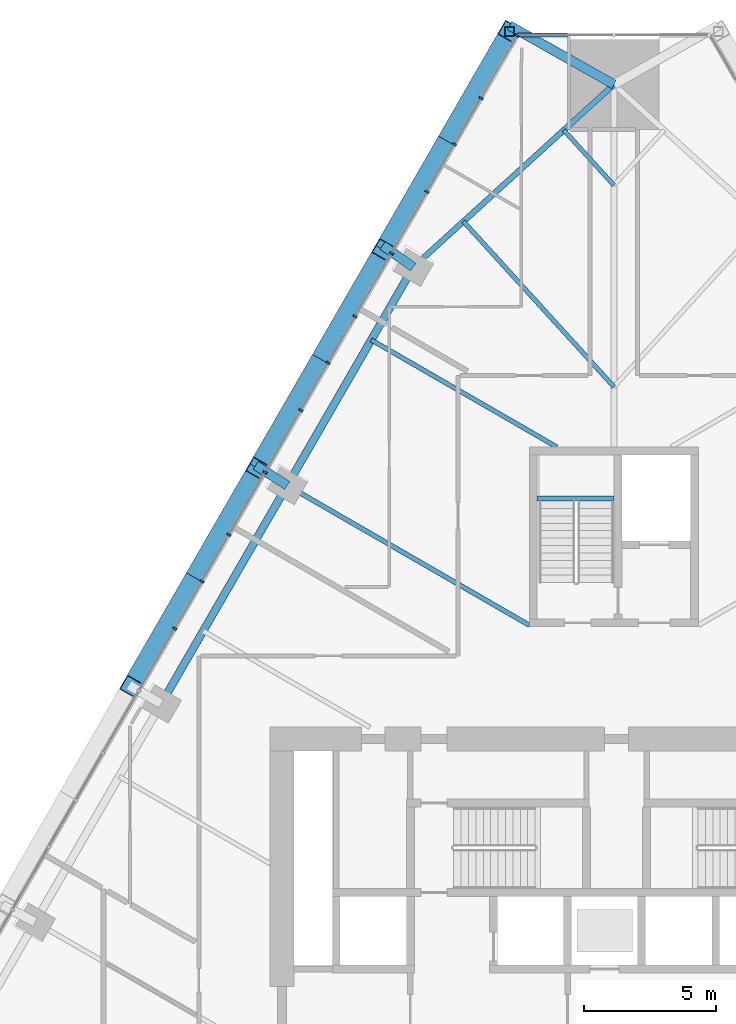
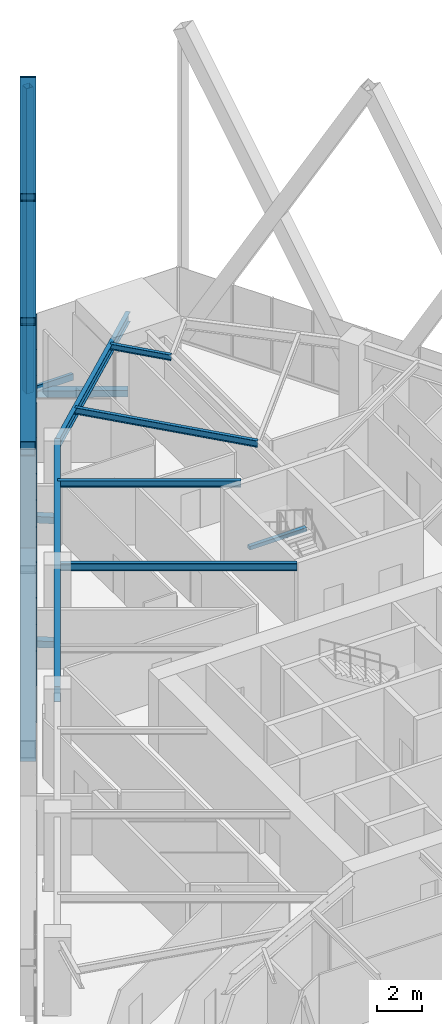
# One storey, part 10 of 23: 23 members, 7 beams, 2 elements without a shape of their own.
"""IFC4 building model written with IfcOpenShell, lengths in metres."""

from ifc_helpers import new_model, si_unit, direction, frame, origin, origin_2d, place, context, subcontext, project, spatial, rectangle, hollow_rectangle, i_section, extrude, material, layer, layer_set, material_profile, profile_set, type_object, element, aggregate, save


model = new_model("IFC4")

# Units and contexts
model_context = context("Model", 3, precision=1e-05, world=origin(), true_north=direction((0.0, 1.0)))
body_context = subcontext(model_context, "Body", "Model", "MODEL_VIEW")
ifc_project = project(units=[si_unit("LENGTHUNIT", "METRE"), si_unit("AREAUNIT", "SQUARE_METRE"), si_unit("VOLUMEUNIT", "CUBIC_METRE"), si_unit("PLANEANGLEUNIT", "RADIAN"), si_unit("MASSUNIT", "GRAM", prefix="KILO")], contexts=[model_context])

# Site, building, storey
site_placement = place(None, origin())
site = spatial("IfcSite", under=ifc_project, at=site_placement, CompositionType="ELEMENT")
building_placement = place(site_placement, origin())
building = spatial("IfcBuilding", under=site, at=building_placement, Name="Firuza Gate Tower and Library", CompositionType="ELEMENT")
storey_placement = place(building_placement, frame((0.0, 0.0, 56.800048828125)))
storey = spatial("IfcBuildingStorey", under=building, at=storey_placement, Name="L12", CompositionType="ELEMENT", Elevation=56.800048828125)

# Members
ifc_material_1 = material(Name="Steel S355", Category="steel")
ifc_material_profile_1 = material_profile(ifc_material_1, hollow_rectangle(XDim=0.699951171875, YDim=0.699951171875, WallThickness=0.030029296875, at=origin_2d()))
ifc_profile_set_1 = profile_set([ifc_material_profile_1], Name="Steel S355")
member_type_1 = type_object("IfcMemberType", Name="BU700x700x30 Lattice brace", PredefinedType="BRACE", material=ifc_profile_set_1)
for number, where, z_axis, x_axis, name in (
    (1, (71.0537109375, 110.306884765625, 0.0), (-0.246794079392, -0.427450328219, 0.869700465265), (0.866020563445, -0.50000838362, 0.0), "Lattice brace W 2.1R"),
    (2, (66.286376953125, 102.0498046875, 0.0), (0.246794079392, 0.427450328219, 0.869700465265), (-0.866020563445, 0.50000838362, 0.0), "Lattice brace W 2.1L"),
    (3, (66.286376953125, 102.0498046875, 0.0), (-0.246794079392, -0.427450328219, 0.869700465265), (0.866020563445, -0.50000838362, 0.0), "Lattice brace W 2.2R"),
    (4, (61.51904296875, 93.792724609375, 0.0), (0.246794079392, 0.427450328219, 0.869700465265), (-0.866020563445, 0.50000838362, 0.0), "Lattice brace W 2.2L"),
):
    element("IfcMember", number, at=place(storey_placement, frame(where, z_axis=z_axis, x_axis=x_axis)), inside=storey, type_object=member_type_1, Name=name, PredefinedType="BRACE", context=body_context, shape_type="SweptSolid", body=[
        extrude(hollow_rectangle(XDim=0.699951171875, YDim=0.699951171875, WallThickness=0.030029296875, at=origin_2d()), origin(), (0.0, 0.0, 1.0), 19.317138671875),
    ])
for number, where, z_axis, x_axis, name in (
    (5, (61.51904296875, 93.792724609375, 0.0), (-0.246782210514, -0.427451661466, 0.86970317792), (0.866031651222, -0.499989178965, 0.0), "Lattice brace W 2.3R"),
    (6, (56.751953125, 85.53564453125, 0.0), (0.246782210514, 0.427451661466, 0.86970317792), (-0.866031651222, 0.499989178965, 0.0), "Lattice brace W 2.3L"),
):
    element("IfcMember", number, at=place(storey_placement, frame(where, z_axis=z_axis, x_axis=x_axis)), inside=storey, type_object=member_type_1, Name=name, PredefinedType="BRACE", context=body_context, shape_type="SweptSolid", body=[
        extrude(hollow_rectangle(XDim=0.699951171875, YDim=0.699951171875, WallThickness=0.030029296875, at=origin_2d()), origin(), (0.0, 0.0, 1.0), 19.31689453125),
    ])

# Curtain wall, members
ifc_material_2 = material(Name="Aluminium 6063-T6", Category="aluminium")
ifc_layer_1 = layer(ifc_material_2, 0.14990234375)
ifc_layer_set_1 = layer_set([ifc_layer_1], Name="Unitised curtain wall, offices")
curtain_wall_type_1 = type_object("IfcCurtainWallType", Name="Unitised curtain wall, offices", PredefinedType="NOTDEFINED", material=ifc_layer_set_1)
placement = place(storey_placement, origin())
curtain_wall_1 = element("IfcCurtainWall", 7, at=placement, inside=storey, type_object=curtain_wall_type_1, Name="CW1 L12 W face", PredefinedType="NOTDEFINED")
ifc_material_3 = material(Name="Aluminium 6063-T6", Category="aluminium")
ifc_material_profile_2 = material_profile(ifc_material_3, rectangle(XDim=0.14990234375, YDim=0.080078125, at=origin_2d()))
ifc_profile_set_2 = profile_set([ifc_material_profile_2], Name="Aluminium 6063-T6")
member_type_2 = type_object("IfcMemberType", Name="Curtain wall mullion 80x150", PredefinedType="MULLION", material=ifc_profile_set_2)
member_1_placement = place(storey_placement, frame((71.336669921875, 110.147216796875, 0.14990234375), z_axis=(0.0, 0.0, 1.0), x_axis=(0.866025403784, -0.5, 0.0)))
member_1 = element("IfcMember", 8, at=member_1_placement, type_object=member_type_2, Name="Mullion", PredefinedType="MULLION", context=body_context, shape_type="SweptSolid", body=[
    extrude(rectangle(XDim=0.14990234375, YDim=0.080078125, at=origin_2d()), origin(), (0.0, 0.0, 1.0), 3.85009765625),
])
member_2_placement = place(storey_placement, frame((68.969482421875, 106.047119140625, 0.14990234375), z_axis=(0.0, 0.0, 1.0), x_axis=(0.866025403784, -0.5, 0.0)))
member_2 = element("IfcMember", 9, at=member_2_placement, type_object=member_type_2, Name="Mullion", PredefinedType="MULLION", context=body_context, shape_type="SweptSolid", body=[
    extrude(rectangle(XDim=0.14990234375, YDim=0.080078125, at=origin_2d()), origin(), (0.0, 0.0, 1.0), 3.85009765625),
])
member_3_placement = place(storey_placement, frame((66.582275390625, 101.912109375, 0.14990234375), z_axis=(0.0, 0.0, 1.0), x_axis=(0.866025403784, -0.5, 0.0)))
member_3 = element("IfcMember", 10, at=member_3_placement, type_object=member_type_2, Name="Mullion", PredefinedType="MULLION", context=body_context, shape_type="SweptSolid", body=[
    extrude(rectangle(XDim=0.14990234375, YDim=0.080078125, at=origin_2d()), origin(), (0.0, 0.0, 1.0), 3.85009765625),
])
member_4_placement = place(storey_placement, frame((64.195068359375, 97.77734375, 0.14990234375), z_axis=(0.0, 0.0, 1.0), x_axis=(0.866025403784, -0.5, 0.0)))
member_4 = element("IfcMember", 11, at=member_4_placement, type_object=member_type_2, Name="Mullion", PredefinedType="MULLION", context=body_context, shape_type="SweptSolid", body=[
    extrude(rectangle(XDim=0.14990234375, YDim=0.080078125, at=origin_2d()), origin(), (0.0, 0.0, 1.0), 3.85009765625),
])
member_5_placement = place(storey_placement, frame((61.807861328125, 93.642578125, 0.14990234375), z_axis=(0.0, 0.0, 1.0), x_axis=(0.866025403784, -0.5, 0.0)))
member_5 = element("IfcMember", 12, at=member_5_placement, type_object=member_type_2, Name="Mullion", PredefinedType="MULLION", context=body_context, shape_type="SweptSolid", body=[
    extrude(rectangle(XDim=0.14990234375, YDim=0.080078125, at=origin_2d()), origin(), (0.0, 0.0, 1.0), 3.85009765625),
])
member_6_placement = place(storey_placement, frame((59.420654296875, 89.5078125, 0.14990234375), z_axis=(0.0, 0.0, 1.0), x_axis=(0.866025403784, -0.5, 0.0)))
member_6 = element("IfcMember", 13, at=member_6_placement, type_object=member_type_2, Name="Mullion", PredefinedType="MULLION", context=body_context, shape_type="SweptSolid", body=[
    extrude(rectangle(XDim=0.14990234375, YDim=0.080078125, at=origin_2d()), origin(), (0.0, 0.0, 1.0), 3.85009765625),
])
member_7_placement = place(storey_placement, frame((69.976318359375, 107.790771484375, 0.14990234375), z_axis=(0.0, 0.0, 1.0), x_axis=(0.866025403784, -0.5, 0.0)))
member_7 = element("IfcMember", 14, at=member_7_placement, type_object=member_type_2, Name="Mullion", PredefinedType="MULLION", context=body_context, shape_type="SweptSolid", body=[
    extrude(rectangle(XDim=0.14990234375, YDim=0.080078125, at=origin_2d()), origin(), (0.0, 0.0, 1.0), 3.85009765625),
])
member_8_placement = place(storey_placement, frame((67.926513671875, 104.24072265625, 0.14990234375), z_axis=(0.0, 0.0, 1.0), x_axis=(0.866025403784, -0.5, 0.0)))
member_8 = element("IfcMember", 15, at=member_8_placement, type_object=member_type_2, Name="Mullion", PredefinedType="MULLION", context=body_context, shape_type="SweptSolid", body=[
    extrude(rectangle(XDim=0.14990234375, YDim=0.080078125, at=origin_2d()), origin(), (0.0, 0.0, 1.0), 3.85009765625),
])
member_9_placement = place(storey_placement, frame((65.208984375, 99.53369140625, 0.14990234375), z_axis=(0.0, 0.0, 1.0), x_axis=(0.866025403784, -0.5, 0.0)))
member_9 = element("IfcMember", 16, at=member_9_placement, type_object=member_type_2, Name="Mullion", PredefinedType="MULLION", context=body_context, shape_type="SweptSolid", body=[
    extrude(rectangle(XDim=0.14990234375, YDim=0.080078125, at=origin_2d()), origin(), (0.0, 0.0, 1.0), 3.85009765625),
])
member_10_placement = place(storey_placement, frame((63.159423828125, 95.983642578125, 0.14990234375), z_axis=(0.0, 0.0, 1.0), x_axis=(0.866025403784, -0.5, 0.0)))
member_10 = element("IfcMember", 17, at=member_10_placement, type_object=member_type_2, Name="Mullion", PredefinedType="MULLION", context=body_context, shape_type="SweptSolid", body=[
    extrude(rectangle(XDim=0.14990234375, YDim=0.080078125, at=origin_2d()), origin(), (0.0, 0.0, 1.0), 3.85009765625),
])
member_11_placement = place(storey_placement, frame((60.44189453125, 91.276611328125, 0.14990234375), z_axis=(0.0, 0.0, 1.0), x_axis=(0.866025403784, -0.5, 0.0)))
member_11 = element("IfcMember", 18, at=member_11_placement, type_object=member_type_2, Name="Mullion", PredefinedType="MULLION", context=body_context, shape_type="SweptSolid", body=[
    extrude(rectangle(XDim=0.14990234375, YDim=0.080078125, at=origin_2d()), origin(), (0.0, 0.0, 1.0), 3.85009765625),
])
member_12_placement = place(storey_placement, frame((58.39208984375, 87.7265625, 0.14990234375), z_axis=(0.0, 0.0, 1.0), x_axis=(0.866025403784, -0.5, 0.0)))
member_12 = element("IfcMember", 19, at=member_12_placement, type_object=member_type_2, Name="Mullion", PredefinedType="MULLION", context=body_context, shape_type="SweptSolid", body=[
    extrude(rectangle(XDim=0.14990234375, YDim=0.080078125, at=origin_2d()), origin(), (0.0, 0.0, 1.0), 3.85009765625),
])
aggregate(curtain_wall_1, [member_1, member_2, member_3, member_4, member_5, member_6, member_7, member_8, member_9, member_10, member_11, member_12])

# Curtain wall, member
ifc_material_4 = material(Name="Aluminium 6063-T6", Category="aluminium")
ifc_layer_2 = layer(ifc_material_4, 0.14990234375)
ifc_layer_set_2 = layer_set([ifc_layer_2], Name="Corner curtain wall, chamfers")
curtain_wall_type_2 = type_object("IfcCurtainWallType", Name="Corner curtain wall, chamfers", PredefinedType="NOTDEFINED", material=ifc_layer_set_2)
curtain_wall_2 = element("IfcCurtainWall", 20, at=placement, inside=storey, type_object=curtain_wall_type_2, Name="CW4 L12 N corner", PredefinedType="NOTDEFINED")
ifc_material_5 = material(Name="Aluminium 6063-T6", Category="aluminium")
ifc_material_profile_3 = material_profile(ifc_material_5, rectangle(XDim=0.14990234375, YDim=0.35009765625, at=origin_2d()))
ifc_profile_set_3 = profile_set([ifc_material_profile_3], Name="Aluminium 6063-T6")
member_type_3 = type_object("IfcMemberType", Name="Curtain wall transom 350x150", PredefinedType="USERDEFINED", material=ifc_profile_set_3)
member_13_placement = place(storey_placement, frame((73.248779296875, 110.181884765625, -0.025146484375), z_axis=(-1.0, 0.0, 0.0), x_axis=(0.0, -1.0, 0.0)))
member_13 = element("IfcMember", 21, at=member_13_placement, type_object=member_type_3, Name="Transom", ObjectType="TRANSOM", PredefinedType="USERDEFINED", context=body_context, shape_type="SweptSolid", body=[
    extrude(rectangle(XDim=0.14990234375, YDim=0.35009765625, at=origin_2d()), origin(), (0.0, 0.0, 1.0), 1.89208984375),
])
aggregate(curtain_wall_2, [member_13])

# Members
ifc_material_6 = material(Name="Steel S355", Category="steel")
ifc_material_profile_4 = material_profile(ifc_material_6, hollow_rectangle(XDim=0.355712890625, YDim=0.355712890625, WallThickness=0.014892578125, at=origin_2d()))
ifc_profile_set_4 = profile_set([ifc_material_profile_4], Name="Steel S355")
member_type_4 = type_object("IfcMemberType", Name="HSS356x356x16 Lattice corner stile", PredefinedType="BRACE", material=ifc_profile_set_4)
member_14_placement = place(storey_placement, frame((71.0537109375, 110.306884765625, -0.14013671875), z_axis=(0.0, 0.0, 1.0), x_axis=(1.0, 0.0, 0.0)))
element("IfcMember", 22, at=member_14_placement, inside=storey, type_object=member_type_4, Name="Lattice corner stile W 2.A", PredefinedType="BRACE", context=body_context, shape_type="SweptSolid", body=[
    extrude(hollow_rectangle(XDim=0.355712890625, YDim=0.355712890625, WallThickness=0.014892578125, at=origin_2d()), origin(), (0.0, 0.0, 1.0), 16.440185546875),
])
ifc_material_7 = material(Name="Steel S355", Category="steel")
ifc_material_profile_5 = material_profile(ifc_material_7, hollow_rectangle(XDim=0.355712890625, YDim=0.355712890625, WallThickness=0.014892578125, at=origin_2d()))
ifc_profile_set_5 = profile_set([ifc_material_profile_5], Name="Steel S355")
member_type_5 = type_object("IfcMemberType", Name="HSS356x356x16 Lattice node tie", PredefinedType="BRACE", material=ifc_profile_set_5)
member_15_placement = place(storey_placement, frame((62.64501953125, 93.142578125, -0.320068359375), z_axis=(-0.84189521683, 0.539641032427, 0.0), x_axis=(-0.539641032427, -0.84189521683, 0.0)))
element("IfcMember", 23, at=member_15_placement, inside=storey, type_object=member_type_5, Name="Lattice node tie W L12 40", PredefinedType="BRACE", context=body_context, shape_type="SweptSolid", body=[
    extrude(hollow_rectangle(XDim=0.355712890625, YDim=0.355712890625, WallThickness=0.014892578125, at=origin_2d()), origin(), (0.0, 0.0, 1.0), 1.4150390625),
])
member_16_placement = place(storey_placement, frame((67.412109375, 101.399658203125, -0.320068359375), z_axis=(-0.816108977839, 0.57789803278, 0.0), x_axis=(-0.57789803278, -0.816108977839, 0.0)))
element("IfcMember", 24, at=member_16_placement, inside=storey, type_object=member_type_5, Name="Lattice node tie W L12 41", PredefinedType="BRACE", context=body_context, shape_type="SweptSolid", body=[
    extrude(hollow_rectangle(XDim=0.355712890625, YDim=0.355712890625, WallThickness=0.014892578125, at=origin_2d()), origin(), (0.0, 0.0, 1.0), 1.41943359375),
])
member_17_placement = place(storey_placement, frame((75.0, 108.306884765625, -0.320068359375), z_axis=(-0.87088977596, 0.491478380123, 0.0), x_axis=(-0.491478380123, -0.87088977596, 0.0)))
element("IfcMember", 25, at=member_17_placement, inside=storey, type_object=member_type_5, Name="Lattice node tie W L12 42", PredefinedType="BRACE", context=body_context, shape_type="SweptSolid", body=[
    extrude(hollow_rectangle(XDim=0.355712890625, YDim=0.355712890625, WallThickness=0.014892578125, at=origin_2d()), origin(), (0.0, 0.0, 1.0), 4.53125),
])

# Beams
ifc_material_8 = material(Name="Concrete C35/45", Category="concrete")
ifc_material_profile_6 = material_profile(ifc_material_8, rectangle(XDim=0.199951171875, YDim=0.199951171875, at=origin_2d()))
ifc_profile_set_6 = profile_set([ifc_material_profile_6], Name="Concrete C35/45")
beam_type_1 = type_object("IfcBeamType", Name="Stair landing bearer 200x200", PredefinedType="BEAM", material=ifc_profile_set_6)
beam_1_placement = place(storey_placement, frame((75.0, 92.64990234375, 1.800048828125), z_axis=(-1.0, 0.0, 0.0), x_axis=(0.0, -1.0, 0.0)))
element("IfcBeam", 26, at=beam_1_placement, inside=storey, type_object=beam_type_1, Name="Landing bearer L12 stair 3", PredefinedType="BEAM", context=body_context, shape_type="SweptSolid", body=[
    extrude(rectangle(XDim=0.199951171875, YDim=0.199951171875, at=origin_2d()), origin(), (0.0, 0.0, 1.0), 2.89990234375),
])
ifc_material_9 = material(Name="Steel S355", Category="steel")
ifc_material_profile_7 = material_profile(ifc_material_9, i_section(OverallWidth=0.1650390625, OverallDepth=0.31005859375, WebThickness=0.005859375, FlangeThickness=0.009765625, at=origin_2d()))
ifc_profile_set_7 = profile_set([ifc_material_profile_7], Name="Steel S355")
beam_type_2 = type_object("IfcBeamType", Name="W310x39 Floor beam", PredefinedType="JOIST", material=ifc_profile_set_7)
beam_2_placement = place(storey_placement, frame((73.10302734375, 106.580078125, 3.844970703125), z_axis=(0.673146987304, -0.739508710891, 0.0), x_axis=(0.739508710891, 0.673146987304, 0.0)))
element("IfcBeam", 27, at=beam_2_placement, inside=storey, type_object=beam_type_2, Name="Floor beam L12 s70", PredefinedType="JOIST", context=body_context, shape_type="SweptSolid", body=[
    extrude(i_section(OverallWidth=0.1650390625, OverallDepth=0.31005859375, WebThickness=0.005859375, FlangeThickness=0.009765625, at=origin_2d()), origin(), (0.0, 0.0, 1.0), 2.818115234375),
])
ifc_material_10 = material(Name="Steel S355", Category="steel")
ifc_material_profile_8 = material_profile(ifc_material_10, i_section(OverallWidth=0.1708984375, OverallDepth=0.35498046875, WebThickness=0.007080078125, FlangeThickness=0.01171875, at=origin_2d()))
ifc_profile_set_8 = profile_set([ifc_material_profile_8], Name="Steel S355")
beam_type_3 = type_object("IfcBeamType", Name="W360x51 Floor beam", PredefinedType="JOIST", material=ifc_profile_set_8)
beam_3_placement = place(storey_placement, frame((69.30908203125, 103.12646484375, 3.822509765625), z_axis=(0.673161362913, -0.739495625059, 0.0), x_axis=(0.739495625059, 0.673161362913, 0.0)))
element("IfcBeam", 28, at=beam_3_placement, inside=storey, type_object=beam_type_3, Name="Floor beam L12 s71", PredefinedType="JOIST", context=body_context, shape_type="SweptSolid", body=[
    extrude(i_section(OverallWidth=0.1708984375, OverallDepth=0.35498046875, WebThickness=0.007080078125, FlangeThickness=0.01171875, at=origin_2d()), origin(), (0.0, 0.0, 1.0), 8.4541015625),
])
beam_4_placement = place(storey_placement, frame((65.822998046875, 98.6474609375, 3.822509765625), z_axis=(0.8660258691, -0.499999194049, 0.0), x_axis=(0.499999194049, 0.8660258691, 0.0)))
element("IfcBeam", 29, at=beam_4_placement, inside=storey, type_object=beam_type_3, Name="Floor beam L12 s80", PredefinedType="JOIST", context=body_context, shape_type="SweptSolid", body=[
    extrude(i_section(OverallWidth=0.1708984375, OverallDepth=0.35498046875, WebThickness=0.007080078125, FlangeThickness=0.01171875, at=origin_2d()), origin(), (0.0, 0.0, 1.0), 8.0947265625),
])
ifc_material_11 = material(Name="Steel S355", Category="steel")
ifc_material_profile_9 = material_profile(ifc_material_11, i_section(OverallWidth=0.177978515625, OverallDepth=0.406982421875, WebThickness=0.0078125, FlangeThickness=0.0126953125, at=origin_2d()))
ifc_profile_set_9 = profile_set([ifc_material_profile_9], Name="Steel S355")
beam_type_4 = type_object("IfcBeamType", Name="W410x60 Floor beam", PredefinedType="JOIST", material=ifc_profile_set_9)
beam_5_placement = place(storey_placement, frame((62.64501953125, 93.142578125, 3.79638671875), z_axis=(0.866025981243, -0.499998999811, 0.0), x_axis=(0.499998999811, 0.866025981243, 0.0)))
element("IfcBeam", 30, at=beam_5_placement, inside=storey, type_object=beam_type_4, Name="Floor beam L12 s81", PredefinedType="JOIST", context=body_context, shape_type="SweptSolid", body=[
    extrude(i_section(OverallWidth=0.177978515625, OverallDepth=0.406982421875, WebThickness=0.0078125, FlangeThickness=0.0126953125, at=origin_2d()), origin(), (0.0, 0.0, 1.0), 10.5712890625),
])
ifc_material_12 = material(Name="Steel S355", Category="steel")
ifc_material_profile_10 = material_profile(ifc_material_12, i_section(OverallWidth=0.212890625, OverallDepth=0.5390625, WebThickness=0.01171875, FlangeThickness=0.018798828125, at=origin_2d()))
ifc_profile_set_10 = profile_set([ifc_material_profile_10], Name="Steel S355")
beam_type_5 = type_object("IfcBeamType", Name="W530x109 Edge beam", PredefinedType="SPANDREL", material=ifc_profile_set_10)
beam_6_placement = place(storey_placement, frame((75.0, 108.306884765625, 3.73046875), z_axis=(-0.739496344773, -0.673160572276, 0.0), x_axis=(0.673160572276, -0.739496344773, 0.0)))
element("IfcBeam", 31, at=beam_6_placement, inside=storey, type_object=beam_type_5, Name="Edge beam L12 e70", PredefinedType="SPANDREL", context=body_context, shape_type="SweptSolid", body=[
    extrude(i_section(OverallWidth=0.212890625, OverallDepth=0.5390625, WebThickness=0.01171875, FlangeThickness=0.018798828125, at=origin_2d()), origin(), (0.0, 0.0, 1.0), 10.260986328125),
])
ifc_material_13 = material(Name="Steel S355", Category="steel")
ifc_material_profile_11 = material_profile(ifc_material_13, i_section(OverallWidth=0.2919921875, OverallDepth=0.8349609375, WebThickness=0.013916015625, FlangeThickness=0.018798828125, at=origin_2d()))
ifc_profile_set_11 = profile_set([ifc_material_profile_11], Name="Steel S355")
beam_type_6 = type_object("IfcBeamType", Name="W840x176 Edge beam", PredefinedType="SPANDREL", material=ifc_profile_set_11)
beam_7_placement = place(storey_placement, frame((67.412109375, 101.399658203125, 3.58251953125), z_axis=(-0.499998781384, -0.866026107351, 0.0), x_axis=(0.866026107351, -0.499998781384, 0.0)))
element("IfcBeam", 32, at=beam_7_placement, inside=storey, type_object=beam_type_6, Name="Edge beam L12 e80", PredefinedType="SPANDREL", context=body_context, shape_type="SweptSolid", body=[
    extrude(i_section(OverallWidth=0.2919921875, OverallDepth=0.8349609375, WebThickness=0.013916015625, FlangeThickness=0.018798828125, at=origin_2d()), origin(), (0.0, 0.0, 1.0), 19.06884765625),
])

save(model, "model.ifc")
